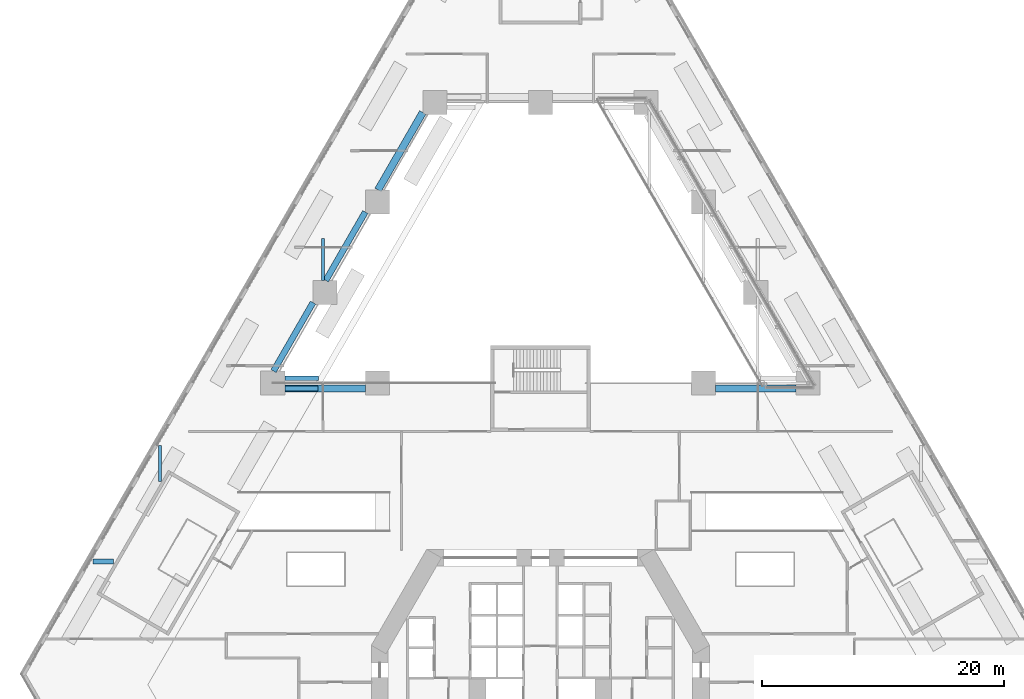
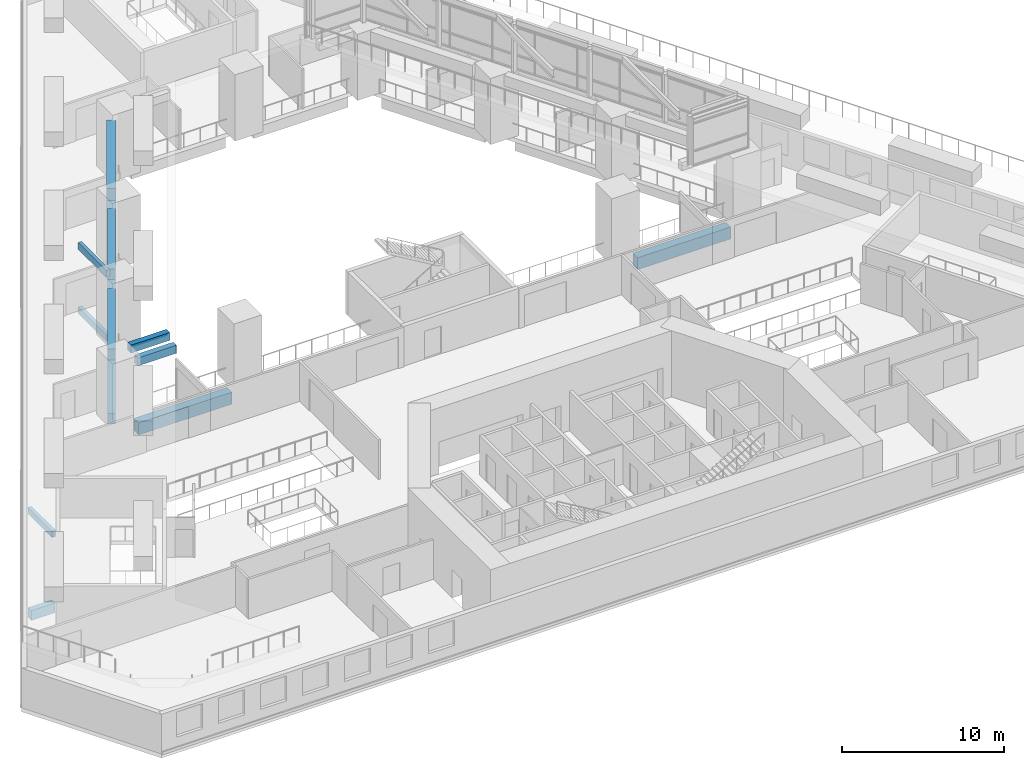
# One storey, part 3 of 19: 14 beams.
"""IFC4 building model written with IfcOpenShell, lengths in metres."""

from ifc_helpers import new_model, si_unit, direction, frame, origin, origin_2d, place, context, subcontext, project, spatial, rectangle, extrude, material, material_profile, profile_set, type_object, element, save


model = new_model("IFC4")

# Units and contexts
model_context = context("Model", 3, precision=1e-05, world=origin(), true_north=direction((0.0, 1.0)))
body_context = subcontext(model_context, "Body", "Model", "MODEL_VIEW")
ifc_project = project(units=[si_unit("LENGTHUNIT", "METRE"), si_unit("AREAUNIT", "SQUARE_METRE"), si_unit("VOLUMEUNIT", "CUBIC_METRE"), si_unit("PLANEANGLEUNIT", "RADIAN"), si_unit("MASSUNIT", "GRAM", prefix="KILO")], contexts=[model_context])

# Site, building, storey
site_placement = place(None, origin())
site = spatial("IfcSite", under=ifc_project, at=site_placement, CompositionType="ELEMENT")
building_placement = place(site_placement, origin())
building = spatial("IfcBuilding", under=site, at=building_placement, Name="Fogline Exchange Tower", CompositionType="ELEMENT")
storey_placement = place(building_placement, frame((0.0, 0.0, 20.0)))
storey = spatial("IfcBuildingStorey", under=building, at=storey_placement, Name="L03", CompositionType="ELEMENT", Elevation=20.0)

# Beams
ifc_material = material(Name="Concrete C40", Category="concrete")
ifc_material_profile_1 = material_profile(ifc_material, rectangle(XDim=0.39990234375, YDim=0.75, at=origin_2d()), Name="RC 400x750")
ifc_profile_set_1 = profile_set([ifc_material_profile_1], Name="Concrete C40")
beam_type_1 = type_object("IfcBeamType", Name="B05", PredefinedType="BEAM", material=ifc_profile_set_1)
beam_1_placement = place(storey_placement, frame((-37.0302734375, 18.0, -0.675048828125), z_axis=(1.0, 0.0, 0.0), x_axis=(0.0, 1.0, 0.0)))
element("IfcBeam", 1, at=beam_1_placement, inside=storey, type_object=beam_type_1, Name="GB003", PredefinedType="BEAM", context=body_context, shape_type="SweptSolid", body=[
    extrude(rectangle(XDim=0.39990234375, YDim=0.75, at=origin_2d()), origin(), (0.0, 0.0, 1.0), 1.702880859375),
])
ifc_material_profile_2 = material_profile(ifc_material, rectangle(XDim=0.25, YDim=0.5, at=origin_2d()), Name="RC 250x500")
ifc_profile_set_2 = profile_set([ifc_material_profile_2], Name="Concrete C40")
beam_type_2 = type_object("IfcBeamType", Name="B08", PredefinedType="BEAM", material=ifc_profile_set_2)
beam_2_placement = place(storey_placement, frame((-31.5, 24.619384765625, -0.550048828125), z_axis=(0.0, 1.0, 0.0), x_axis=(-1.0, 0.0, 0.0)))
element("IfcBeam", 2, at=beam_2_placement, inside=storey, type_object=beam_type_2, Name="SB006", PredefinedType="BEAM", context=body_context, shape_type="SweptSolid", body=[
    extrude(rectangle(XDim=0.25, YDim=0.5, at=origin_2d()), origin(), (0.0, 0.0, 1.0), 2.95947265625),
])
for number, where, z_axis, x_axis, name in (
    (3, (-18.0, 41.258056640625, -0.550048828125), (0.0, 1.0, 0.0), (-1.0, 0.0, 0.0), "SB014"),
    (4, (-18.0, 41.258056640625, 4.300048828125), (0.0, 1.0, 0.0), (-1.0, 0.0, 0.0), "SBT008"),
):
    element("IfcBeam", number, at=place(storey_placement, frame(where, z_axis=z_axis, x_axis=x_axis)), inside=storey, type_object=beam_type_2, Name=name, PredefinedType="BEAM", context=body_context, shape_type="SweptSolid", body=[
        extrude(rectangle(XDim=0.25, YDim=0.5, at=origin_2d()), origin(), (0.0, 0.0, 1.0), 3.491943359375),
    ])
ifc_material_profile_3 = material_profile(ifc_material, rectangle(XDim=0.60009765625, YDim=0.89990234375, at=origin_2d()), Name="RC 600x900")
ifc_profile_set_3 = profile_set([ifc_material_profile_3], Name="Concrete C40")
beam_type_3 = type_object("IfcBeamType", Name="B09", PredefinedType="BEAM", material=ifc_profile_set_3)
for number, where, z_axis, x_axis, name in (
    (5, (21.157958984375, 32.31005859375, -0.75), (-1.0, 0.0, 0.0), (0.0, -1.0, 0.0), "RB006"),
    (6, (-14.5, 32.31005859375, -0.75), (-1.0, 0.0, 0.0), (0.0, -1.0, 0.0), "RB009"),
):
    element("IfcBeam", number, at=place(storey_placement, frame(where, z_axis=z_axis, x_axis=x_axis)), inside=storey, type_object=beam_type_3, Name=name, PredefinedType="BEAM", context=body_context, shape_type="SweptSolid", body=[
        extrude(rectangle(XDim=0.60009765625, YDim=0.89990234375, at=origin_2d()), origin(), (0.0, 0.0, 1.0), 6.657958984375),
    ])
for number, where, z_axis, x_axis, name in (
    (7, (-13.442138671875, 48.756103515625, -0.75), (0.500011685716, 0.866018656928, 0.0), (-0.866018656928, 0.500011685716, 0.0), "RB012"),
    (8, (-13.442138671875, 48.756103515625, 4.10009765625), (0.500011685716, 0.866018656928, 0.0), (-0.866018656928, 0.500011685716, 0.0), "RBT005"),
):
    element("IfcBeam", number, at=place(storey_placement, frame(where, z_axis=z_axis, x_axis=x_axis)), inside=storey, type_object=beam_type_3, Name=name, PredefinedType="BEAM", context=body_context, shape_type="SweptSolid", body=[
        extrude(rectangle(XDim=0.60009765625, YDim=0.89990234375, at=origin_2d()), origin(), (0.0, 0.0, 1.0), 7.404052734375),
    ])
ifc_material_profile_4 = material_profile(ifc_material, rectangle(XDim=0.5, YDim=0.800048828125, at=origin_2d()), Name="RC 500x800")
ifc_profile_set_4 = profile_set([ifc_material_profile_4], Name="Concrete C40")
beam_type_4 = type_object("IfcBeamType", Name="B10", PredefinedType="BEAM", material=ifc_profile_set_4)
beam_3_placement = place(storey_placement, frame((-22.10009765625, 33.760009765625, -0.699951171875), z_axis=(0.499984111004, 0.866034577106, 0.0), x_axis=(-0.866034577106, 0.499984111004, 0.0)))
element("IfcBeam", 9, at=beam_3_placement, inside=storey, type_object=beam_type_4, Name="RB010", PredefinedType="BEAM", context=body_context, shape_type="SweptSolid", body=[
    extrude(rectangle(XDim=0.5, YDim=0.800048828125, at=origin_2d()), origin(), (0.0, 0.0, 1.0), 6.542236328125),
])
beam_4_placement = place(storey_placement, frame((-17.77099609375, 41.258056640625, -0.699951171875), z_axis=(0.500000270186, 0.866025247793, 0.0), x_axis=(-0.866025247793, 0.500000270186, 0.0)))
element("IfcBeam", 10, at=beam_4_placement, inside=storey, type_object=beam_type_4, Name="RB011", PredefinedType="BEAM", context=body_context, shape_type="SweptSolid", body=[
    extrude(rectangle(XDim=0.5, YDim=0.800048828125, at=origin_2d()), origin(), (0.0, 0.0, 1.0), 6.5419921875),
])
beam_5_placement = place(storey_placement, frame((-22.10009765625, 33.760009765625, 4.14990234375), z_axis=(0.499984111004, 0.866034577106, 0.0), x_axis=(-0.866034577106, 0.499984111004, 0.0)))
element("IfcBeam", 11, at=beam_5_placement, inside=storey, type_object=beam_type_4, Name="RBT003", PredefinedType="BEAM", context=body_context, shape_type="SweptSolid", body=[
    extrude(rectangle(XDim=0.5, YDim=0.800048828125, at=origin_2d()), origin(), (0.0, 0.0, 1.0), 6.542236328125),
])
beam_6_placement = place(storey_placement, frame((-17.77099609375, 41.258056640625, 4.14990234375), z_axis=(0.500000270186, 0.866025247793, 0.0), x_axis=(-0.866025247793, 0.500000270186, 0.0)))
element("IfcBeam", 12, at=beam_6_placement, inside=storey, type_object=beam_type_4, Name="RBT004", PredefinedType="BEAM", context=body_context, shape_type="SweptSolid", body=[
    extrude(rectangle(XDim=0.5, YDim=0.800048828125, at=origin_2d()), origin(), (0.0, 0.0, 1.0), 6.5419921875),
])
ifc_material_profile_5 = material_profile(ifc_material, rectangle(XDim=0.39990234375, YDim=0.60009765625, at=origin_2d()), Name="RC 400x600")
ifc_profile_set_5 = profile_set([ifc_material_profile_5], Name="Concrete C40")
beam_type_5 = type_object("IfcBeamType", Name="B11", PredefinedType="BEAM", material=ifc_profile_set_5)
beam_7_placement = place(storey_placement, frame((-18.403564453125, 32.31005859375, 4.25), z_axis=(-1.0, 0.0, 0.0), x_axis=(0.0, -1.0, 0.0)))
element("IfcBeam", 13, at=beam_7_placement, inside=storey, type_object=beam_type_5, Name="RBT002", PredefinedType="BEAM", context=body_context, shape_type="SweptSolid", body=[
    extrude(rectangle(XDim=0.39990234375, YDim=0.60009765625, at=origin_2d()), origin(), (0.0, 0.0, 1.0), 2.75439453125),
])
beam_8_placement = place(storey_placement, frame((-18.374755859375, 33.159912109375, 4.699951171875), z_axis=(-1.0, 0.0, 0.0), x_axis=(0.0, -1.0, 0.0)))
element("IfcBeam", 14, at=beam_8_placement, inside=storey, type_object=beam_type_5, Name="LBT012", PredefinedType="BEAM", context=body_context, shape_type="SweptSolid", body=[
    extrude(rectangle(XDim=0.39990234375, YDim=0.60009765625, at=origin_2d()), origin(), (0.0, 0.0, 1.0), 2.783203125),
])

save(model, "model.ifc")
